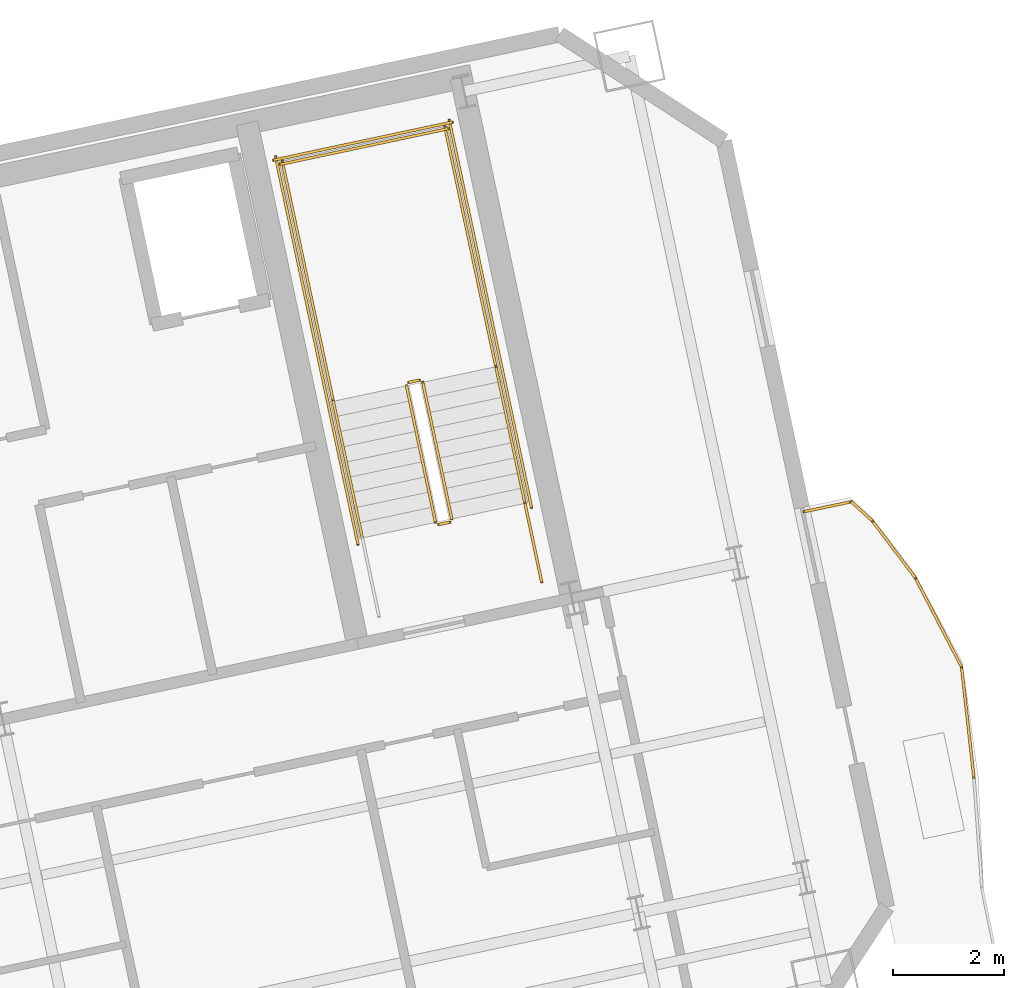
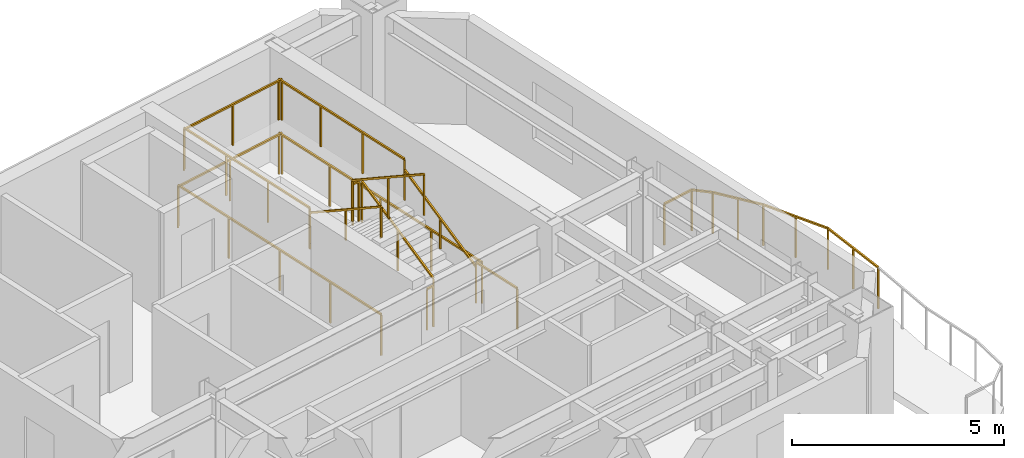
# One storey, part 14 of 14: 18 railings.
"""IFC4 building model written with IfcOpenShell, lengths in metres."""

from ifc_helpers import new_model, si_unit, direction, frame, origin, origin_2d, place, context, subcontext, project, spatial, rectangle, extrude, material, type_object, element, save


model = new_model("IFC4")

# Units and contexts
model_context = context("Model", 3, precision=1e-05, world=origin(), true_north=direction((0.0, 1.0)))
body_context = subcontext(model_context, "Body", "Model", "MODEL_VIEW")
ifc_project = project(units=[si_unit("LENGTHUNIT", "METRE"), si_unit("AREAUNIT", "SQUARE_METRE"), si_unit("VOLUMEUNIT", "CUBIC_METRE"), si_unit("PLANEANGLEUNIT", "RADIAN"), si_unit("MASSUNIT", "GRAM", prefix="KILO")], contexts=[model_context])

# Site, building, storey
site_placement = place(None, origin())
site = spatial("IfcSite", under=ifc_project, at=site_placement, CompositionType="ELEMENT")
building_placement = place(site_placement, origin())
building = spatial("IfcBuilding", under=site, at=building_placement, Name="Haevon Station Towers", CompositionType="ELEMENT")
storey_placement = place(building_placement, frame((0.0, 0.0, 212.10009765625)))
storey = spatial("IfcBuildingStorey", under=building, at=storey_placement, Name="L58", CompositionType="ELEMENT", Elevation=212.10009765625)

# Railings
ifc_material = material(Name="Steel S355", Category="steel")
railing_type_1 = type_object("IfcRailingType", Name="GRD-EXT1200", PredefinedType="GUARDRAIL", material=ifc_material)
railing_1_placement = place(storey_placement, frame((126.5478515625, 38.581298828125, 0.0)))
element("IfcRailing", 1, at=railing_1_placement, inside=storey, type_object=railing_type_1, Name="L58 Perimeter Guardrail 6", PredefinedType="GUARDRAIL", context=body_context, shape_type="SweptSolid", body=[
    extrude(rectangle(XDim=0.048095703125, YDim=0.048095703125, at=origin_2d()), frame((0.0, 0.0, 1.17578125), z_axis=(-0.111247276479, 0.993792756804, 0.0), x_axis=(-0.993792756804, -0.111247276479, 0.0)), (0.0, 0.0, 1.0), 2.003662109375),
    extrude(rectangle(XDim=0.0419921875, YDim=0.0419921875, at=origin_2d()), origin(), (0.0, 0.0, 1.0), 1.15185546875),
    extrude(rectangle(XDim=0.0419921875, YDim=0.0419921875, at=origin_2d()), frame((-0.111328125, 0.99560546875, 0.0)), (0.0, 0.0, 1.0), 1.15185546875),
    extrude(rectangle(XDim=0.0419921875, YDim=0.0419921875, at=origin_2d()), frame((-0.222900390625, 1.9912109375, 0.0)), (0.0, 0.0, 1.0), 1.15185546875),
])
railing_2_placement = place(storey_placement, frame((126.324951171875, 40.572509765625, 0.0)))
element("IfcRailing", 2, at=railing_2_placement, inside=storey, type_object=railing_type_1, Name="L58 Perimeter Guardrail 7", PredefinedType="GUARDRAIL", context=body_context, shape_type="SweptSolid", body=[
    extrude(rectangle(XDim=0.048095703125, YDim=0.048095703125, at=origin_2d()), frame((0.0, 0.0, 1.17578125), z_axis=(-0.460970518106, 0.887415450303, 0.0), x_axis=(-0.887415450303, -0.460970518106, 0.0)), (0.0, 0.0, 1.0), 1.810302734375),
    extrude(rectangle(XDim=0.0419921875, YDim=0.0419921875, at=origin_2d()), origin(), (0.0, 0.0, 1.0), 1.15185546875),
    extrude(rectangle(XDim=0.0419921875, YDim=0.0419921875, at=origin_2d()), frame((-0.417236328125, 0.80322265625, 0.0)), (0.0, 0.0, 1.0), 1.15185546875),
    extrude(rectangle(XDim=0.0419921875, YDim=0.0419921875, at=origin_2d()), frame((-0.83447265625, 1.6064453125, 0.0)), (0.0, 0.0, 1.0), 1.15185546875),
])
railing_3_placement = place(storey_placement, frame((125.490478515625, 42.178955078125, 0.0)))
element("IfcRailing", 3, at=railing_3_placement, inside=storey, type_object=railing_type_1, Name="L58 Perimeter Guardrail 8", PredefinedType="GUARDRAIL", context=body_context, shape_type="SweptSolid", body=[
    extrude(rectangle(XDim=0.048095703125, YDim=0.048095703125, at=origin_2d()), frame((0.0, 0.0, 1.17578125), z_axis=(-0.602597752791, 0.798045079135, 0.0), x_axis=(-0.798045079135, -0.602597752791, 0.0)), (0.0, 0.0, 1.0), 1.29150390625),
    extrude(rectangle(XDim=0.0419921875, YDim=0.0419921875, at=origin_2d()), origin(), (0.0, 0.0, 1.0), 1.15185546875),
    extrude(rectangle(XDim=0.0419921875, YDim=0.0419921875, at=origin_2d()), frame((-0.38916015625, 0.515380859375, 0.0)), (0.0, 0.0, 1.0), 1.15185546875),
    extrude(rectangle(XDim=0.0419921875, YDim=0.0419921875, at=origin_2d()), frame((-0.7783203125, 1.03076171875, 0.0)), (0.0, 0.0, 1.0), 1.15185546875),
])
railing_4_placement = place(storey_placement, frame((124.712158203125, 43.209716796875, 0.0)))
element("IfcRailing", 4, at=railing_4_placement, inside=storey, type_object=railing_type_1, Name="L58 Perimeter Guardrail 9", PredefinedType="GUARDRAIL", context=body_context, shape_type="SweptSolid", body=[
    extrude(rectangle(XDim=0.048095703125, YDim=0.048095703125, at=origin_2d()), frame((0.0, 0.0, 1.17578125), z_axis=(-0.743126923653, 0.669150487814, 0.0), x_axis=(-0.669150487814, -0.743126923653, 0.0)), (0.0, 0.0, 1.0), 0.50830078125),
    extrude(rectangle(XDim=0.0419921875, YDim=0.0419921875, at=origin_2d()), origin(), (0.0, 0.0, 1.0), 1.15185546875),
    extrude(rectangle(XDim=0.0419921875, YDim=0.0419921875, at=origin_2d()), frame((-0.377685546875, 0.340087890625, 0.0)), (0.0, 0.0, 1.0), 1.15185546875),
])
railing_5_placement = place(storey_placement, frame((124.33447265625, 43.5498046875, 0.0)))
element("IfcRailing", 5, at=railing_5_placement, inside=storey, type_object=railing_type_1, Name="L58 Perimeter Guardrail 10", PredefinedType="GUARDRAIL", context=body_context, shape_type="SweptSolid", body=[
    extrude(rectangle(XDim=0.048095703125, YDim=0.048095703125, at=origin_2d()), frame((0.0, 0.0, 1.17578125), z_axis=(-0.978645023674, -0.205557577426, 0.0), x_axis=(0.205557577426, -0.978645023674, 0.0)), (0.0, 0.0, 1.0), 0.869384765625),
    extrude(rectangle(XDim=0.0419921875, YDim=0.0419921875, at=origin_2d()), origin(), (0.0, 0.0, 1.0), 1.15185546875),
    extrude(rectangle(XDim=0.0419921875, YDim=0.0419921875, at=origin_2d()), frame((-0.850830078125, -0.1787109375, 0.0)), (0.0, 0.0, 1.0), 1.15185546875),
])
railing_type_2 = type_object("IfcRailingType", Name="GRD-STR1200", PredefinedType="GUARDRAIL", material=ifc_material)
railing_6_placement = place(storey_placement, frame((117.128662109375, 43.23974609375, 0.164794921875)))
element("IfcRailing", 6, at=railing_6_placement, inside=storey, type_object=railing_type_2, Name="L58 ST4 Stair Guard 1", PredefinedType="GUARDRAIL", context=body_context, shape_type="SweptSolid", body=[
    extrude(rectangle(XDim=0.048095703125, YDim=0.048095703125, at=origin_2d()), frame((0.0, 0.0, 1.17578125), z_axis=(-0.179121265225, 0.842687928106, 0.507732831485), x_axis=(-0.978147030254, -0.207914374695, 0.0)), (0.0, 0.0, 1.0), 2.925048828125),
    extrude(rectangle(XDim=0.0419921875, YDim=0.0419921875, at=origin_2d()), origin(), (0.0, 0.0, 1.0), 1.15185546875),
    extrude(rectangle(XDim=0.0419921875, YDim=0.0419921875, at=origin_2d()), frame((-0.261962890625, 1.232421875, 0.74267578125)), (0.0, 0.0, 1.0), 1.15185546875),
    extrude(rectangle(XDim=0.0419921875, YDim=0.0419921875, at=origin_2d()), frame((-0.52392578125, 2.46484375, 1.485107421875)), (0.0, 0.0, 1.0), 1.15185546875),
])
railing_7_placement = place(storey_placement, frame((116.54541015625, 45.7431640625, 1.64990234375)))
element("IfcRailing", 7, at=railing_7_placement, inside=storey, type_object=railing_type_2, Name="L58 ST4 Stair Guard 2", PredefinedType="GUARDRAIL", context=body_context, shape_type="SweptSolid", body=[
    extrude(rectangle(XDim=0.048095703125, YDim=0.048095703125, at=origin_2d()), frame((0.0, 0.0, 1.17578125), z_axis=(-0.97826412705, -0.207362720198, 0.0), x_axis=(0.207362720198, -0.97826412705, 0.0)), (0.0, 0.0, 1.0), 0.2001953125),
    extrude(rectangle(XDim=0.0419921875, YDim=0.0419921875, at=origin_2d()), origin(), (0.0, 0.0, 1.0), 1.15185546875),
    extrude(rectangle(XDim=0.0419921875, YDim=0.0419921875, at=origin_2d()), frame((-0.19580078125, -0.04150390625, 0.0)), (0.0, 0.0, 1.0), 1.15185546875),
])
railing_8_placement = place(storey_placement, frame((117.925048828125, 45.9853515625, 1.64990234375)))
element("IfcRailing", 8, at=railing_8_placement, inside=storey, type_object=railing_type_2, Name="L58 ST4 Stair Guard 3", PredefinedType="GUARDRAIL", context=body_context, shape_type="SweptSolid", body=[
    extrude(rectangle(XDim=0.048095703125, YDim=0.048095703125, at=origin_2d()), frame((0.0, 0.0, 1.17578125), z_axis=(-0.207876551949, 0.978155069071, 0.0), x_axis=(-0.978155069071, -0.207876551949, 0.0)), (0.0, 0.0, 1.0), 4.429931640625),
    extrude(rectangle(XDim=0.0419921875, YDim=0.0419921875, at=origin_2d()), origin(), (0.0, 0.0, 1.0), 1.15185546875),
    extrude(rectangle(XDim=0.0419921875, YDim=0.0419921875, at=origin_2d()), frame((-0.306884765625, 1.4443359375, 0.0)), (0.0, 0.0, 1.0), 1.15185546875),
    extrude(rectangle(XDim=0.0419921875, YDim=0.0419921875, at=origin_2d()), frame((-0.614013671875, 2.888916015625, 0.0)), (0.0, 0.0, 1.0), 1.15185546875),
    extrude(rectangle(XDim=0.0419921875, YDim=0.0419921875, at=origin_2d()), frame((-0.9208984375, 4.333251953125, 0.0)), (0.0, 0.0, 1.0), 1.15185546875),
])
railing_9_placement = place(storey_placement, frame((114.99072265625, 45.361572265625, 1.64990234375)))
element("IfcRailing", 9, at=railing_9_placement, inside=storey, type_object=railing_type_2, Name="L58 ST4 Stair Guard 4", PredefinedType="GUARDRAIL", context=body_context, shape_type="SweptSolid", body=[
    extrude(rectangle(XDim=0.048095703125, YDim=0.048095703125, at=origin_2d()), frame((0.0, 0.0, 1.17578125), z_axis=(-0.207929280007, 0.978143861871, 0.0), x_axis=(-0.978143861871, -0.207929280007, 0.0)), (0.0, 0.0, 1.0), 4.43017578125),
    extrude(rectangle(XDim=0.0419921875, YDim=0.0419921875, at=origin_2d()), origin(), (0.0, 0.0, 1.0), 1.15185546875),
    extrude(rectangle(XDim=0.0419921875, YDim=0.0419921875, at=origin_2d()), frame((-0.30712890625, 1.4443359375, 0.0)), (0.0, 0.0, 1.0), 1.15185546875),
    extrude(rectangle(XDim=0.0419921875, YDim=0.0419921875, at=origin_2d()), frame((-0.614013671875, 2.888916015625, 0.0)), (0.0, 0.0, 1.0), 1.15185546875),
    extrude(rectangle(XDim=0.0419921875, YDim=0.0419921875, at=origin_2d()), frame((-0.921142578125, 4.333251953125, 0.0)), (0.0, 0.0, 1.0), 1.15185546875),
])
railing_10_placement = place(storey_placement, frame((117.0634765625, 50.280029296875, 1.64990234375)))
element("IfcRailing", 10, at=railing_10_placement, inside=storey, type_object=railing_type_2, Name="L58 ST4 Stair Guard 5", PredefinedType="GUARDRAIL", context=body_context, shape_type="SweptSolid", body=[
    extrude(rectangle(XDim=0.048095703125, YDim=0.048095703125, at=origin_2d()), frame((0.0, 0.0, 1.17578125), z_axis=(-0.978146839882, -0.207915270313, 0.0), x_axis=(0.207915270313, -0.978146839882, 0.0)), (0.0, 0.0, 1.0), 3.099853515625),
    extrude(rectangle(XDim=0.0419921875, YDim=0.0419921875, at=origin_2d()), origin(), (0.0, 0.0, 1.0), 1.15185546875),
    extrude(rectangle(XDim=0.0419921875, YDim=0.0419921875, at=origin_2d()), frame((-1.51611328125, -0.322265625, 0.0)), (0.0, 0.0, 1.0), 1.15185546875),
    extrude(rectangle(XDim=0.0419921875, YDim=0.0419921875, at=origin_2d()), frame((-3.0322265625, -0.64453125, 0.0)), (0.0, 0.0, 1.0), 1.15185546875),
])
railing_11_placement = place(storey_placement, frame((116.311279296875, 45.642333984375, 1.81494140625)))
element("IfcRailing", 11, at=railing_11_placement, inside=storey, type_object=railing_type_2, Name="L58 ST4 Stair Guard 6", PredefinedType="GUARDRAIL", context=body_context, shape_type="SweptSolid", body=[
    extrude(rectangle(XDim=0.048095703125, YDim=0.048095703125, at=origin_2d()), frame((0.0, 0.0, 1.17578125), z_axis=(0.179116256339, -0.842747828638, 0.507635168246), x_axis=(0.978151217824, 0.207894673017, 0.0)), (0.0, 0.0, 1.0), 2.925048828125),
    extrude(rectangle(XDim=0.0419921875, YDim=0.0419921875, at=origin_2d()), origin(), (0.0, 0.0, 1.0), 1.15185546875),
    extrude(rectangle(XDim=0.0419921875, YDim=0.0419921875, at=origin_2d()), frame((0.261962890625, -1.232421875, 0.742431640625)), (0.0, 0.0, 1.0), 1.15185546875),
    extrude(rectangle(XDim=0.0419921875, YDim=0.0419921875, at=origin_2d()), frame((0.52392578125, -2.465087890625, 1.48486328125)), (0.0, 0.0, 1.0), 1.15185546875),
])
railing_12_placement = place(storey_placement, frame((117.090087890625, 43.180419921875, 0.0)))
element("IfcRailing", 12, at=railing_12_placement, inside=storey, type_object=railing_type_2, Name="L58 ST4 Stair Guard 7", PredefinedType="GUARDRAIL", context=body_context, shape_type="SweptSolid", body=[
    extrude(rectangle(XDim=0.048095703125, YDim=0.048095703125, at=origin_2d()), frame((0.0, 0.0, 1.17578125), z_axis=(-0.978211583308, -0.207610448392, 0.0), x_axis=(0.207610448392, -0.978211583308, 0.0)), (0.0, 0.0, 1.0), 0.199951171875),
    extrude(rectangle(XDim=0.0419921875, YDim=0.0419921875, at=origin_2d()), origin(), (0.0, 0.0, 1.0), 1.15185546875),
    extrude(rectangle(XDim=0.0419921875, YDim=0.0419921875, at=origin_2d()), frame((-0.195556640625, -0.04150390625, 0.0)), (0.0, 0.0, 1.0), 1.15185546875),
])
railing_13_placement = place(storey_placement, frame((118.75048828125, 42.10205078125, 0.0)))
element("IfcRailing", 13, at=railing_13_placement, inside=storey, type_object=railing_type_2, Name="L58 ST4 Stair Guard 8", PredefinedType="GUARDRAIL", context=body_context, shape_type="SweptSolid", body=[
    extrude(rectangle(XDim=0.048095703125, YDim=0.048095703125, at=origin_2d()), frame((0.0, 0.0, 1.17578125), z_axis=(-0.207919161079, 0.978146012851, 0.0), x_axis=(-0.978146012851, -0.207919161079, 0.0)), (0.0, 0.0, 1.0), 1.4501953125),
    extrude(rectangle(XDim=0.0419921875, YDim=0.0419921875, at=origin_2d()), origin(), (0.0, 0.0, 1.0), 1.15185546875),
    extrude(rectangle(XDim=0.0419921875, YDim=0.0419921875, at=origin_2d()), frame((-0.301513671875, 1.41845703125, 0.0)), (0.0, 0.0, 1.0), 1.15185546875),
])
railing_14_placement = place(storey_placement, frame((118.567626953125, 43.443359375, 0.0)))
element("IfcRailing", 14, at=railing_14_placement, inside=storey, type_object=railing_type_2, Name="L58 ST4 Stair Guard 10", PredefinedType="GUARDRAIL", context=body_context, shape_type="SweptSolid", body=[
    extrude(rectangle(XDim=0.048095703125, YDim=0.048095703125, at=origin_2d()), frame((0.0, 0.0, 1.17578125), z_axis=(-0.207908168386, 0.978148349443, 0.0), x_axis=(-0.978148349443, -0.207908168386, 0.0)), (0.0, 0.0, 1.0), 7.150146484375),
    extrude(rectangle(XDim=0.0419921875, YDim=0.0419921875, at=origin_2d()), origin(), (0.0, 0.0, 1.0), 1.15185546875),
    extrude(rectangle(XDim=0.0419921875, YDim=0.0419921875, at=origin_2d()), frame((-0.37158203125, 1.74853515625, 0.0)), (0.0, 0.0, 1.0), 1.15185546875),
    extrude(rectangle(XDim=0.0419921875, YDim=0.0419921875, at=origin_2d()), frame((-0.7431640625, 3.4970703125, 0.0)), (0.0, 0.0, 1.0), 1.15185546875),
    extrude(rectangle(XDim=0.0419921875, YDim=0.0419921875, at=origin_2d()), frame((-1.114990234375, 5.245361328125, 0.0)), (0.0, 0.0, 1.0), 1.15185546875),
    extrude(rectangle(XDim=0.0419921875, YDim=0.0419921875, at=origin_2d()), frame((-1.486572265625, 6.993896484375, 0.0)), (0.0, 0.0, 1.0), 1.15185546875),
])
railing_15_placement = place(storey_placement, frame((115.4375, 42.778076171875, 0.0)))
element("IfcRailing", 15, at=railing_15_placement, inside=storey, type_object=railing_type_2, Name="L58 ST4 Stair Guard 11", PredefinedType="GUARDRAIL", context=body_context, shape_type="SweptSolid", body=[
    extrude(rectangle(XDim=0.048095703125, YDim=0.048095703125, at=origin_2d()), frame((0.0, 0.0, 1.17578125), z_axis=(-0.207882442208, 0.978153817261, 0.0), x_axis=(-0.978153817261, -0.207882442208, 0.0)), (0.0, 0.0, 1.0), 7.14990234375),
    extrude(rectangle(XDim=0.0419921875, YDim=0.0419921875, at=origin_2d()), origin(), (0.0, 0.0, 1.0), 1.15185546875),
    extrude(rectangle(XDim=0.0419921875, YDim=0.0419921875, at=origin_2d()), frame((-0.37158203125, 1.74853515625, 0.0)), (0.0, 0.0, 1.0), 1.15185546875),
    extrude(rectangle(XDim=0.0419921875, YDim=0.0419921875, at=origin_2d()), frame((-0.7431640625, 3.496826171875, 0.0)), (0.0, 0.0, 1.0), 1.15185546875),
    extrude(rectangle(XDim=0.0419921875, YDim=0.0419921875, at=origin_2d()), frame((-1.11474609375, 5.2451171875, 0.0)), (0.0, 0.0, 1.0), 1.15185546875),
    extrude(rectangle(XDim=0.0419921875, YDim=0.0419921875, at=origin_2d()), frame((-1.486328125, 6.99365234375, 0.0)), (0.0, 0.0, 1.0), 1.15185546875),
])
railing_16_placement = place(storey_placement, frame((117.140380859375, 50.398681640625, 0.0)))
element("IfcRailing", 16, at=railing_16_placement, inside=storey, type_object=railing_type_2, Name="L58 ST4 Stair Guard 12", PredefinedType="GUARDRAIL", context=body_context, shape_type="SweptSolid", body=[
    extrude(rectangle(XDim=0.048095703125, YDim=0.048095703125, at=origin_2d()), frame((0.0, 0.0, 1.17578125), z_axis=(-0.978135717418, -0.207967589567, 0.0), x_axis=(0.207967589567, -0.978135717418, 0.0)), (0.0, 0.0, 1.0), 3.300048828125),
    extrude(rectangle(XDim=0.0419921875, YDim=0.0419921875, at=origin_2d()), origin(), (0.0, 0.0, 1.0), 1.15185546875),
    extrude(rectangle(XDim=0.0419921875, YDim=0.0419921875, at=origin_2d()), frame((-1.61376953125, -0.34326171875, 0.0)), (0.0, 0.0, 1.0), 1.15185546875),
    extrude(rectangle(XDim=0.0419921875, YDim=0.0419921875, at=origin_2d()), frame((-3.227783203125, -0.686279296875, 0.0)), (0.0, 0.0, 1.0), 1.15185546875),
])
railing_type_3 = type_object("IfcRailingType", Name="HND-STR900", PredefinedType="HANDRAIL", material=ifc_material)
railing_17_placement = place(storey_placement, frame((118.448974609375, 43.5205078125, 0.164794921875)))
element("IfcRailing", 17, at=railing_17_placement, inside=storey, type_object=railing_type_3, Name="L58 ST4 Stair Handrail 1", PredefinedType="HANDRAIL", context=body_context, shape_type="SweptSolid", body=[
    extrude(rectangle(XDim=0.048095703125, YDim=0.048095703125, at=origin_2d()), frame((0.0, 0.0, 0.8759765625), z_axis=(-0.179121265225, 0.842687928106, 0.507732831485), x_axis=(-0.978147030254, -0.207914374695, 0.0)), (0.0, 0.0, 1.0), 2.925048828125),
    extrude(rectangle(XDim=0.0419921875, YDim=0.0419921875, at=origin_2d()), origin(), (0.0, 0.0, 1.0), 0.851806640625),
    extrude(rectangle(XDim=0.0419921875, YDim=0.0419921875, at=origin_2d()), frame((-0.261962890625, 1.232421875, 0.74267578125)), (0.0, 0.0, 1.0), 0.851806640625),
    extrude(rectangle(XDim=0.0419921875, YDim=0.0419921875, at=origin_2d()), frame((-0.52392578125, 2.46484375, 1.485107421875)), (0.0, 0.0, 1.0), 0.851806640625),
])
railing_18_placement = place(storey_placement, frame((114.99072265625, 45.361572265625, 1.81494140625)))
element("IfcRailing", 18, at=railing_18_placement, inside=storey, type_object=railing_type_3, Name="L58 ST4 Stair Handrail 2", PredefinedType="HANDRAIL", context=body_context, shape_type="SweptSolid", body=[
    extrude(rectangle(XDim=0.048095703125, YDim=0.048095703125, at=origin_2d()), frame((0.0, 0.0, 0.8759765625), z_axis=(0.179128856099, -0.842723639875, 0.507670877349), x_axis=(0.978147030254, 0.207914374695, 0.0)), (0.0, 0.0, 1.0), 2.9248046875),
    extrude(rectangle(XDim=0.0419921875, YDim=0.0419921875, at=origin_2d()), origin(), (0.0, 0.0, 1.0), 0.851806640625),
    extrude(rectangle(XDim=0.0419921875, YDim=0.0419921875, at=origin_2d()), frame((0.261962890625, -1.232421875, 0.742431640625)), (0.0, 0.0, 1.0), 0.851806640625),
    extrude(rectangle(XDim=0.0419921875, YDim=0.0419921875, at=origin_2d()), frame((0.52392578125, -2.46484375, 1.48486328125)), (0.0, 0.0, 1.0), 0.851806640625),
])

save(model, "model.ifc")
